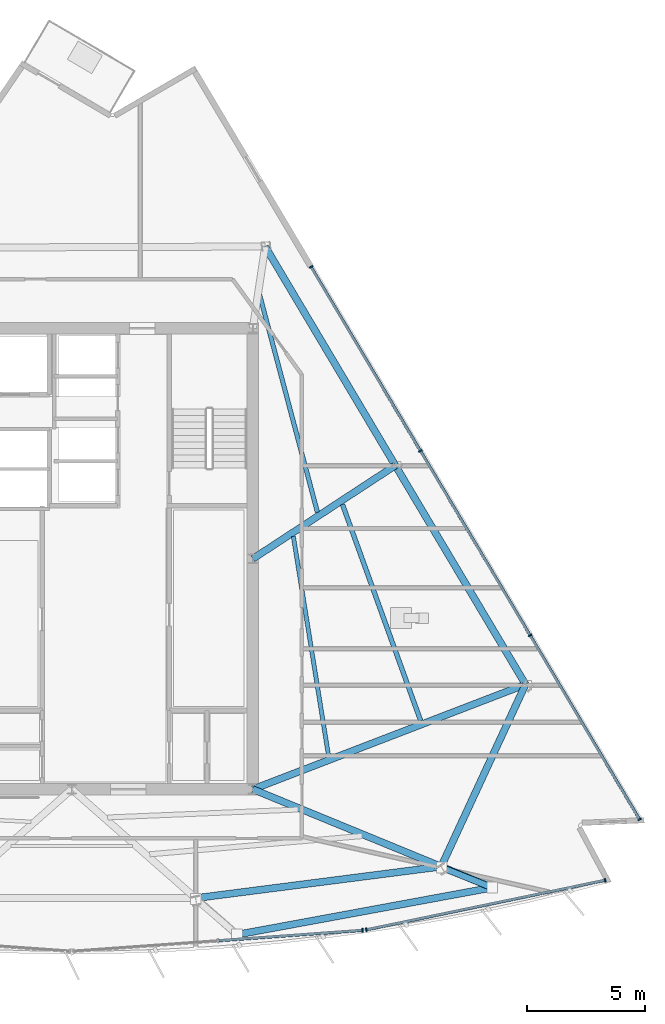
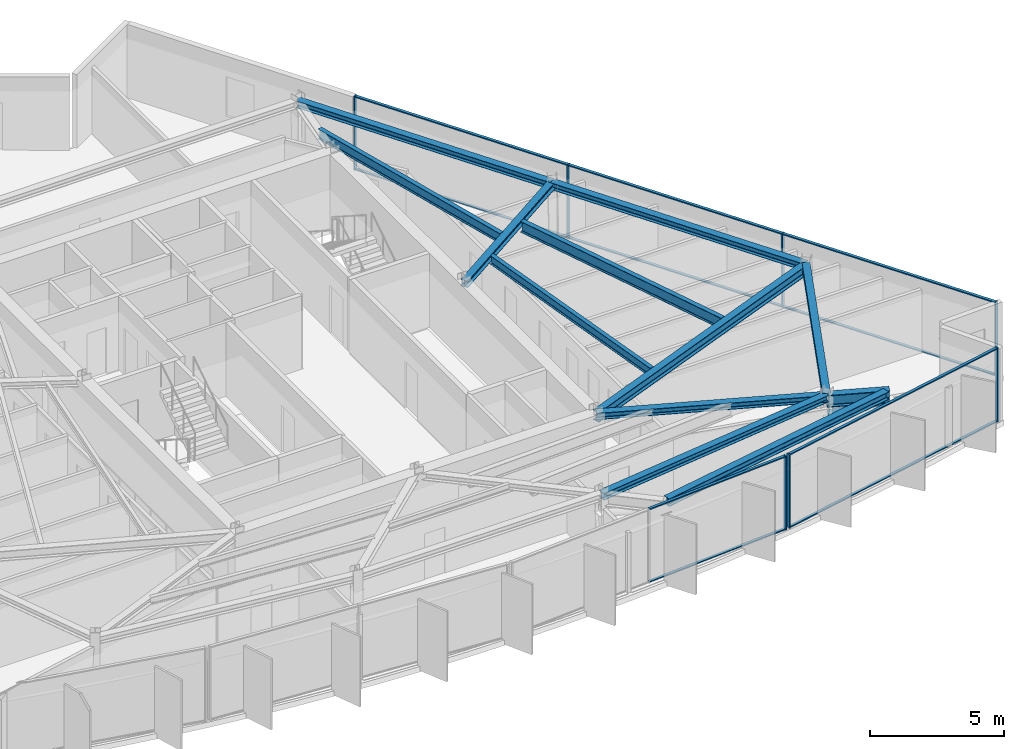
# One storey, part 5 of 13: 18 members, 12 beams, 3 elements without a shape of their own.
"""IFC4 building model written with IfcOpenShell, lengths in metres."""

import ifcopenshell
import ifcopenshell.guid

model = None  # the IFC model being written
_history = None  # IfcOwnerHistory: only IFC2X3 demands one
_inside = {}  # id of a spatial element -> (the spatial element, [elements in it])
_under = {}  # id of a project, library or spatial element -> (it, [spatial elements below it])
_declared = {}  # id of a project -> (the project, [libraries it declares])
_typed = {}  # id of a type object -> (the type object, [elements of that type])
_made_of = {}  # id of a material, layer set ... -> (it, [elements and type objects made of it])


def new_model(schema):
    """Start an empty IFC model of exactly this schema.

    Asked for "IFC4X3", IfcOpenShell would pick the latest addendum, in which some entities
    have other attributes; the version numbers below select the first issue.
    IFC2X3 requires an IfcOwnerHistory on every rooted entity: one is made here for all.
    """
    global model, _history
    if schema == "IFC4X3":
        model = ifcopenshell.file(schema_version=(4, 3, 0, 0))
    else:
        model = ifcopenshell.file(schema=schema)
    _inside.clear()
    _under.clear()
    _declared.clear()
    _typed.clear()
    _made_of.clear()
    _history = None
    if model.schema == "IFC2X3":
        org = make("IfcOrganization", Name="unknown")
        user = make(
            "IfcPersonAndOrganization",
            ThePerson=make("IfcPerson", FamilyName="unknown"),
            TheOrganization=org,
        )
        app = make(
            "IfcApplication",
            ApplicationDeveloper=org,
            Version="unknown",
            ApplicationFullName="unknown",
            ApplicationIdentifier="unknown",
        )
        _history = make(
            "IfcOwnerHistory",
            OwningUser=user,
            OwningApplication=app,
            ChangeAction="ADDED",
            CreationDate=0,
        )
    return model


def make(cls, **values):
    """One entity of the class cls with the attributes given. An attribute that is None is left unset."""
    return model.create_entity(
        cls, **{name: value for name, value in values.items() if value is not None}
    )


def rooted(cls, **values):
    """An entity with a GlobalId (a new one), such as an element, a storey or a relation."""
    return make(cls, GlobalId=ifcopenshell.guid.new(), OwnerHistory=_history, **values)


def si_unit(unit_type, name, prefix=None):
    """IfcSIUnit, for example si_unit("LENGTHUNIT", "METRE", prefix="MILLI")."""
    return make("IfcSIUnit", UnitType=unit_type, Prefix=prefix, Name=name)


def assignment(units):
    """IfcUnitAssignment: the units of a project."""
    return None if units is None else make("IfcUnitAssignment", Units=units)


def point(xyz):
    """IfcCartesianPoint."""
    return None if xyz is None else make("IfcCartesianPoint", Coordinates=xyz)


def direction(xyz):
    """IfcDirection."""
    return None if xyz is None else make("IfcDirection", DirectionRatios=xyz)


def frame(location, z_axis=None, x_axis=None):
    """IfcAxis2Placement3D, a coordinate frame: its origin and axes. An axis left out is left unset."""
    return make(
        "IfcAxis2Placement3D",
        Location=point(location),
        Axis=direction(z_axis),
        RefDirection=direction(x_axis),
    )


def frame_2d(location, x_axis=None):
    """IfcAxis2Placement2D, a coordinate frame in the plane: its origin and x axis."""
    return make(
        "IfcAxis2Placement2D", Location=point(location), RefDirection=direction(x_axis)
    )


def origin():
    """The frame at (0, 0, 0) with its axes left unset."""
    return frame((0.0, 0.0, 0.0))


def origin_2d():
    """The frame at (0, 0) in the plane with its x axis left unset."""
    return frame_2d((0.0, 0.0))


def place(relative_to, where):
    """IfcLocalPlacement: puts the frame where relative to a parent placement (None: the world)."""
    return make(
        "IfcLocalPlacement", PlacementRelTo=relative_to, RelativePlacement=where
    )


def context(
    kind, dimensions, precision=None, world=None, true_north=None, identifier=None
):
    """IfcGeometricRepresentationContext, for example the 3D "Model" context."""
    return make(
        "IfcGeometricRepresentationContext",
        ContextIdentifier=identifier,
        ContextType=kind,
        CoordinateSpaceDimension=dimensions,
        Precision=precision,
        WorldCoordinateSystem=world,
        TrueNorth=true_north,
    )


def subcontext(parent, identifier, kind, view, scale=None):
    """IfcGeometricRepresentationSubContext, for example "Body" below "Model"."""
    return make(
        "IfcGeometricRepresentationSubContext",
        ContextIdentifier=identifier,
        ContextType=kind,
        ParentContext=parent,
        TargetScale=scale,
        TargetView=view,
    )


def project(units=None, contexts=None):
    """IfcProject with its units and contexts."""
    return rooted(
        "IfcProject",
        Name="project",
        RepresentationContexts=contexts,
        UnitsInContext=assignment(units),
    )


def spatial(cls, under=None, at=None, **own):
    """A site, building, storey or space (cls), placed at a placement, below another one or the project."""
    s = rooted(cls, ObjectPlacement=at, **own)
    if under is not None:
        _under.setdefault(under.id(), (under, []))[1].append(s)
    return s


def profile(cls, at=None, kind="AREA", **sizes):
    """A parametric profile (cls). Its sizes go by their IFC names, for example OverallWidth=200.0."""
    return make(cls, ProfileType=kind, Position=at, **sizes)


def rectangle(**sizes):
    """IfcRectangleProfileDef."""
    return profile("IfcRectangleProfileDef", **sizes)


def hollow_circle(**sizes):
    """IfcCircleHollowProfileDef."""
    return profile("IfcCircleHollowProfileDef", **sizes)


def i_section(**sizes):
    """IfcIShapeProfileDef."""
    return profile("IfcIShapeProfileDef", **sizes)


def extrude(swept, where, along, depth):
    """IfcExtrudedAreaSolid: the profile swept, set in the frame where, extruded along a direction by depth."""
    return make(
        "IfcExtrudedAreaSolid",
        SweptArea=swept,
        Position=where,
        ExtrudedDirection=direction(along),
        Depth=depth,
    )


def shape(context_of_items, identifier, shape_type, items):
    """IfcShapeRepresentation: the items that make up one representation, for example the "Body"."""
    return make(
        "IfcShapeRepresentation",
        ContextOfItems=context_of_items,
        RepresentationIdentifier=identifier,
        RepresentationType=shape_type,
        Items=items,
    )


def material(Name=None, Category=None):
    """IfcMaterial."""
    return make("IfcMaterial", Name=Name, Category=Category)


def material_profile(
    of_material, cross_section, Name=None, Category=None, Priority=None
):
    """IfcMaterialProfile: a cross section and its material."""
    return make(
        "IfcMaterialProfile",
        Name=Name,
        Material=of_material,
        Profile=cross_section,
        Priority=Priority,
        Category=Category,
    )


def profile_set(profiles, Name=None, composite=None):
    """IfcMaterialProfileSet."""
    return make(
        "IfcMaterialProfileSet",
        Name=Name,
        MaterialProfiles=profiles,
        CompositeProfile=composite,
    )


def made_of(thing, what):
    """Note that an element or type object is made of a material, layer set ...; save() writes the relation."""
    if what is not None:
        _made_of.setdefault(what.id(), (what, []))[1].append(thing)
    return thing


def type_object(cls, material=None, **own):
    """A type object (cls), such as IfcWallType, which elements share."""
    return made_of(rooted(cls, **own), material)


def element(
    cls,
    number,
    at=None,
    inside=None,
    cuts=None,
    type_object=None,
    material=None,
    context=None,
    identifier="Body",
    shape_type=None,
    held_by="IfcProductDefinitionShape",
    body=None,
    shapes=None,
    **own,
):
    """One element of the class cls, such as IfcWall. Its Tag is "e" and its number.

    at: its placement. inside: the storey or other place that contains it. cuts: it is an
    opening in that element (IfcRelVoidsElement). A single representation is given by context,
    identifier, shape_type and body (its items); several are given by shapes. held_by: the class
    of the entity that holds the representations. save() writes the other relations.
    """
    e = rooted(cls, Tag="e%d" % number, ObjectPlacement=at, **own)
    if body is not None:
        shapes = [shape(context, identifier, shape_type, body)]
    if shapes is not None:
        e.Representation = make(held_by, Representations=shapes)
    if inside is not None:
        _inside.setdefault(inside.id(), (inside, []))[1].append(e)
    if cuts is not None:
        rooted(
            "IfcRelVoidsElement", RelatingBuildingElement=cuts, RelatedOpeningElement=e
        )
    if type_object is not None:
        _typed.setdefault(type_object.id(), (type_object, []))[1].append(e)
    return made_of(e, material)


def aggregate(whole, parts):
    """IfcRelAggregates: a whole, such as a stair, and the parts it consists of."""
    return rooted("IfcRelAggregates", RelatingObject=whole, RelatedObjects=parts)


def save(model, path):
    """Write the relations noted so far, then the file.

    IfcRelAggregates (storeys below a building ...), IfcRelContainedInSpatialStructure (elements
    in a storey), IfcRelDefinesByType, IfcRelAssociatesMaterial and IfcRelDeclares: one each for
    every whole, place, type object, material and project.
    """
    for whole, parts in _under.values():
        aggregate(whole, parts)
    for where, things in _inside.values():
        rooted(
            "IfcRelContainedInSpatialStructure",
            RelatedElements=things,
            RelatingStructure=where,
        )
    for kind, things in _typed.values():
        rooted("IfcRelDefinesByType", RelatedObjects=things, RelatingType=kind)
    for what, things in _made_of.values():
        rooted("IfcRelAssociatesMaterial", RelatedObjects=things, RelatingMaterial=what)
    for by, libraries in _declared.values():
        rooted("IfcRelDeclares", RelatingContext=by, RelatedDefinitions=libraries)
    model.write(path)


model = new_model("IFC4")

# Units and contexts
model_context = context("Model", 3, precision=1e-05, world=origin(), true_north=direction((0.0, 1.0)))
body_context = subcontext(model_context, "Body", "Model", "MODEL_VIEW")
ifc_project = project(units=[si_unit("LENGTHUNIT", "METRE"), si_unit("AREAUNIT", "SQUARE_METRE"), si_unit("VOLUMEUNIT", "CUBIC_METRE"), si_unit("PLANEANGLEUNIT", "RADIAN"), si_unit("MASSUNIT", "GRAM", prefix="KILO")], contexts=[model_context])

# Site, building, storey
site_placement = place(None, origin())
site = spatial("IfcSite", under=ifc_project, at=site_placement, CompositionType="ELEMENT")
building_placement = place(site_placement, origin())
building = spatial("IfcBuilding", under=site, at=building_placement, Name="Savorim Split Tower", CompositionType="ELEMENT")
storey_placement = place(building_placement, frame((0.0, 0.0, 258.0)))
storey = spatial("IfcBuildingStorey", under=building, at=storey_placement, Name="L68", CompositionType="ELEMENT", Elevation=258.0)

# Beams
ifc_material_1 = material(Name="Steel S355", Category="steel")
ifc_material_profile_1 = material_profile(ifc_material_1, i_section(OverallWidth=0.179931640625, OverallDepth=0.39990234375, WebThickness=0.008544921875, FlangeThickness=0.013427734375, FilletRadius=0.02099609375, at=origin_2d()), Name="IPE 400")
ifc_profile_set_1 = profile_set([ifc_material_profile_1], Name="Steel S355")
beam_type_1 = type_object("IfcBeamType", Name="BM-JST-IPE400", PredefinedType="JOIST", material=ifc_profile_set_1)
beam_1_placement = place(storey_placement, frame((10.92041015625, -7.993408203125, 3.14990234375), z_axis=(-0.158368732511, 0.987380040594, 0.0), x_axis=(-0.987380040594, -0.158368732511, 0.0)))
element("IfcBeam", 1, at=beam_1_placement, inside=storey, type_object=beam_type_1, Name="L68 Secondary Floor Joist JS-08", PredefinedType="JOIST", context=body_context, shape_type="SweptSolid", body=[
    extrude(i_section(OverallWidth=0.179931640625, OverallDepth=0.39990234375, WebThickness=0.008544921875, FlangeThickness=0.013427734375, FilletRadius=0.02099609375, at=origin_2d()), origin(), (0.0, 0.0, 1.0), 9.46533203125),
])
ifc_material_profile_2 = material_profile(ifc_material_1, i_section(OverallWidth=0.18994140625, OverallDepth=0.449951171875, WebThickness=0.009521484375, FlangeThickness=0.0146484375, FilletRadius=0.02099609375, at=origin_2d()), Name="IPE 450")
ifc_profile_set_2 = profile_set([ifc_material_profile_2], Name="Steel S355")
beam_type_2 = type_object("IfcBeamType", Name="BM-JST-IPE450", PredefinedType="JOIST", material=ifc_profile_set_2)
beam_2_placement = place(storey_placement, frame((10.4453125, 2.379150390625, 3.125), z_axis=(-0.256998411708, 0.966411825455, 0.0), x_axis=(-0.966411825455, -0.256998411708, 0.0)))
element("IfcBeam", 2, at=beam_2_placement, inside=storey, type_object=beam_type_2, Name="L68 Secondary Floor Joist JS-07", PredefinedType="JOIST", context=body_context, shape_type="SweptSolid", body=[
    extrude(i_section(OverallWidth=0.18994140625, OverallDepth=0.449951171875, WebThickness=0.009521484375, FlangeThickness=0.0146484375, FilletRadius=0.02099609375, at=origin_2d()), origin(), (0.0, 0.0, 1.0), 9.586181640625),
])
ifc_material_profile_3 = material_profile(ifc_material_1, i_section(OverallWidth=0.199951171875, OverallDepth=0.5, WebThickness=0.01025390625, FlangeThickness=0.01611328125, FilletRadius=0.02099609375, at=origin_2d()), Name="IPE 500")
ifc_profile_set_3 = profile_set([ifc_material_profile_3], Name="Steel S355")
beam_type_3 = type_object("IfcBeamType", Name="BM-JST-IPE500", PredefinedType="JOIST", material=ifc_profile_set_3)
beam_3_placement = place(storey_placement, frame((14.83251953125, -6.484619140625, 3.10009765625), z_axis=(-0.339887487552, 0.940466105612, 0.0), x_axis=(-0.940466105612, -0.339887487552, 0.0)))
element("IfcBeam", 3, at=beam_3_placement, inside=storey, type_object=beam_type_3, Name="L68 Secondary Floor Joist JS-06", PredefinedType="JOIST", context=body_context, shape_type="SweptSolid", body=[
    extrude(i_section(OverallWidth=0.199951171875, OverallDepth=0.5, WebThickness=0.01025390625, FlangeThickness=0.01611328125, FilletRadius=0.02099609375, at=origin_2d()), origin(), (0.0, 0.0, 1.0), 9.775390625),
])
ifc_material_profile_4 = material_profile(ifc_material_1, i_section(OverallWidth=0.300048828125, OverallDepth=0.300048828125, WebThickness=0.010986328125, FlangeThickness=0.01904296875, FilletRadius=0.027099609375, at=origin_2d()), Name="HEB 300")
ifc_profile_set_4 = profile_set([ifc_material_profile_4], Name="Steel S355")
beam_type_4 = type_object("IfcBeamType", Name="BM-PRI-HEB300", PredefinedType="BEAM", material=ifc_profile_set_4)
beam_4_placement = place(storey_placement, frame((15.70556640625, -12.687744140625, 3.199951171875), z_axis=(-0.925027076553, 0.37990118142, 0.0), x_axis=(-0.37990118142, -0.925027076553, 0.0)))
element("IfcBeam", 4, at=beam_4_placement, inside=storey, type_object=beam_type_4, Name="L68 Primary Floor Girder RG-04", PredefinedType="BEAM", context=body_context, shape_type="SweptSolid", body=[
    extrude(i_section(OverallWidth=0.300048828125, OverallDepth=0.300048828125, WebThickness=0.010986328125, FlangeThickness=0.01904296875, FilletRadius=0.027099609375, at=origin_2d()), origin(), (0.0, 0.0, 1.0), 8.654541015625),
])
beam_5_placement = place(storey_placement, frame((13.75732421875, 4.366455078125, 3.199951171875), z_axis=(-0.836592221067, -0.54782611808, 0.0), x_axis=(0.54782611808, -0.836592221067, 0.0)))
element("IfcBeam", 5, at=beam_5_placement, inside=storey, type_object=beam_type_4, Name="L68 Primary Floor Girder RG-06", PredefinedType="BEAM", context=body_context, shape_type="SweptSolid", body=[
    extrude(i_section(OverallWidth=0.300048828125, OverallDepth=0.300048828125, WebThickness=0.010986328125, FlangeThickness=0.01904296875, FilletRadius=0.027099609375, at=origin_2d()), origin(), (0.0, 0.0, 1.0), 7.240478515625),
])
ifc_material_profile_5 = material_profile(ifc_material_1, i_section(OverallWidth=0.300048828125, OverallDepth=0.449951171875, WebThickness=0.013916015625, FlangeThickness=0.02587890625, FilletRadius=0.027099609375, at=origin_2d()), Name="HEB 450")
ifc_profile_set_5 = profile_set([ifc_material_profile_5], Name="Steel S355")
beam_type_5 = type_object("IfcBeamType", Name="BM-PRI-HEB450", PredefinedType="BEAM", material=ifc_profile_set_5)
beam_6_placement = place(storey_placement, frame((19.29150390625, -4.940673828125, 3.125), z_axis=(-0.933320272, -0.359044941302, 0.0), x_axis=(0.359044941302, -0.933320272, 0.0)))
element("IfcBeam", 6, at=beam_6_placement, inside=storey, type_object=beam_type_5, Name="L68 Primary Floor Girder RG-05", PredefinedType="BEAM", context=body_context, shape_type="SweptSolid", body=[
    extrude(i_section(OverallWidth=0.300048828125, OverallDepth=0.449951171875, WebThickness=0.013916015625, FlangeThickness=0.02587890625, FilletRadius=0.027099609375, at=origin_2d()), origin(), (0.0, 0.0, 1.0), 12.419677734375),
])
ifc_material_profile_6 = material_profile(ifc_material_1, i_section(OverallWidth=0.300048828125, OverallDepth=0.550048828125, WebThickness=0.014892578125, FlangeThickness=0.029052734375, FilletRadius=0.027099609375, at=origin_2d()), Name="HEB 550")
ifc_profile_set_6 = profile_set([ifc_material_profile_6], Name="Steel S355")
beam_type_6 = type_object("IfcBeamType", Name="BM-PRI-HEB550", PredefinedType="BEAM", material=ifc_profile_set_6)
beam_7_placement = place(storey_placement, frame((15.70556640625, -12.687744140625, 3.074951171875), z_axis=(0.925019818378, -0.379918853977, 0.0), x_axis=(0.379918853977, 0.925019818378, 0.0)))
element("IfcBeam", 7, at=beam_7_placement, inside=storey, type_object=beam_type_6, Name="L68 Cantilevered Lounge Rib 2", PredefinedType="BEAM", context=body_context, shape_type="SweptSolid", body=[
    extrude(i_section(OverallWidth=0.300048828125, OverallDepth=0.550048828125, WebThickness=0.014892578125, FlangeThickness=0.029052734375, FilletRadius=0.027099609375, at=origin_2d()), origin(), (0.0, 0.0, 1.0), 2.35009765625),
])
ifc_material_profile_7 = material_profile(ifc_material_1, i_section(OverallWidth=0.300048828125, OverallDepth=0.31005859375, WebThickness=0.009033203125, FlangeThickness=0.015380859375, FilletRadius=0.027099609375, at=origin_2d()), Name="HEA 320")
ifc_profile_set_7 = profile_set([ifc_material_profile_7], Name="Steel S355")
beam_type_7 = type_object("IfcBeamType", Name="BM-SPN-HEA320", PredefinedType="SPANDREL", material=ifc_profile_set_7)
beam_8_placement = place(storey_placement, frame((5.263671875, -14.0283203125, 3.195068359375), z_axis=(0.991859223744, 0.127339233051, 0.0), x_axis=(-0.127339233051, 0.991859223744, 0.0)))
element("IfcBeam", 8, at=beam_8_placement, inside=storey, type_object=beam_type_7, Name="L68 Perimeter Spandrel Beam 3", PredefinedType="SPANDREL", context=body_context, shape_type="SweptSolid", body=[
    extrude(i_section(OverallWidth=0.300048828125, OverallDepth=0.31005859375, WebThickness=0.009033203125, FlangeThickness=0.015380859375, FilletRadius=0.027099609375, at=origin_2d()), origin(), (0.0, 0.0, 1.0), 10.527587890625),
])
beam_9_placement = place(storey_placement, frame((15.70556640625, -12.687744140625, 3.195068359375), z_axis=(0.420059019879, 0.907496787773, 0.0), x_axis=(-0.907496787773, 0.420059019879, 0.0)))
element("IfcBeam", 9, at=beam_9_placement, inside=storey, type_object=beam_type_7, Name="L68 Perimeter Spandrel Beam 4", PredefinedType="SPANDREL", context=body_context, shape_type="SweptSolid", body=[
    extrude(i_section(OverallWidth=0.300048828125, OverallDepth=0.31005859375, WebThickness=0.009033203125, FlangeThickness=0.015380859375, FilletRadius=0.027099609375, at=origin_2d()), origin(), (0.0, 0.0, 1.0), 8.536865234375),
])
for number, where, z_axis, x_axis, name in (
    (10, (19.29150390625, -4.940673828125, 3.195068359375), (-0.511089799365, 0.859527321837, 0.0), (-0.859527321837, -0.511089799365, 0.0), "L68 Perimeter Spandrel Beam 5"),
    (11, (13.75732421875, 4.366455078125, 3.195068359375), (-0.511073141824, 0.85953722648, 0.0), (-0.85953722648, -0.511073141824, 0.0), "L68 Perimeter Spandrel Beam 6"),
):
    element("IfcBeam", number, at=place(storey_placement, frame(where, z_axis=z_axis, x_axis=x_axis)), inside=storey, type_object=beam_type_7, Name=name, PredefinedType="SPANDREL", context=body_context, shape_type="SweptSolid", body=[
        extrude(i_section(OverallWidth=0.300048828125, OverallDepth=0.31005859375, WebThickness=0.009033203125, FlangeThickness=0.015380859375, FilletRadius=0.027099609375, at=origin_2d()), origin(), (0.0, 0.0, 1.0), 10.828125),
    ])
ifc_material_profile_8 = material_profile(ifc_material_1, i_section(OverallWidth=0.300048828125, OverallDepth=0.35009765625, WebThickness=0.010009765625, FlangeThickness=0.017578125, FilletRadius=0.027099609375, at=origin_2d()), Name="HEA 360")
ifc_profile_set_8 = profile_set([ifc_material_profile_8], Name="Steel S355")
beam_type_8 = type_object("IfcBeamType", Name="BM-SPN-HEA360", PredefinedType="SPANDREL", material=ifc_profile_set_8)
beam_10_placement = place(storey_placement, frame((7.185791015625, -15.55126953125, 3.175048828125), z_axis=(0.98344015123, 0.181233189423, 0.0), x_axis=(-0.181233189423, 0.98344015123, 0.0)))
element("IfcBeam", 12, at=beam_10_placement, inside=storey, type_object=beam_type_8, Name="L68 Cantilevered Lounge Front Edge Beam", PredefinedType="SPANDREL", context=body_context, shape_type="SweptSolid", body=[
    extrude(i_section(OverallWidth=0.300048828125, OverallDepth=0.35009765625, WebThickness=0.010009765625, FlangeThickness=0.017578125, FilletRadius=0.027099609375, at=origin_2d()), origin(), (0.0, 0.0, 1.0), 10.713623046875),
])

# Curtain wall, member
ifc_material_2 = material(Name="Dark Ceramic-Fritted Insulated Glass", Category="glass")
curtain_wall_type = type_object("IfcCurtainWallType", Name="CW-TWR-FRIT-B", PredefinedType="NOTDEFINED", material=ifc_material_2)
curtain_wall_1_placement = place(storey_placement, origin())
curtain_wall_1 = element("IfcCurtainWall", 13, at=curtain_wall_1_placement, inside=storey, type_object=curtain_wall_type, Name="L68 Curtain Wall CW-L68-SF3", PredefinedType="NOTDEFINED")
ifc_material_3 = material(Name="Charcoal Anodised Aluminium", Category="aluminium")
ifc_material_profile_9 = material_profile(ifc_material_3, rectangle(XDim=0.159912109375, YDim=0.06005859375, at=origin_2d()), Name="ALU-M 160x60")
ifc_profile_set_9 = profile_set([ifc_material_profile_9], Name="Charcoal Anodised Aluminium")
member_type_1 = type_object("IfcMemberType", Name="CWM-160x60", PredefinedType="MULLION", material=ifc_profile_set_9)
member_1_placement = place(storey_placement, frame((12.362060546875, -15.39599609375, 0.0), z_axis=(0.0, 0.0, 1.0), x_axis=(-0.071562386711, 0.997436125678, 0.0)))
member_1 = element("IfcMember", 14, at=member_1_placement, type_object=member_type_1, Name="CW-03 mullion 3", PredefinedType="MULLION", context=body_context, shape_type="SweptSolid", body=[
    extrude(rectangle(XDim=0.159912109375, YDim=0.06005859375, at=origin_2d()), origin(), (0.0, 0.0, 1.0), 3.35009765625),
])

# Curtain wall, members
curtain_wall_2_placement = place(storey_placement, origin())
curtain_wall_2 = element("IfcCurtainWall", 15, at=curtain_wall_2_placement, inside=storey, type_object=curtain_wall_type, Name="L68 Curtain Wall CW-L68-SF4", PredefinedType="NOTDEFINED")
member_2_placement = place(storey_placement, frame((12.524169921875, -15.373291015625, 0.0), z_axis=(0.0, 0.0, 1.0), x_axis=(-0.20320761208, 0.979135673129, 0.0)))
member_2 = element("IfcMember", 16, at=member_2_placement, type_object=member_type_1, Name="CW-03 mullion 1", PredefinedType="MULLION", context=body_context, shape_type="SweptSolid", body=[
    extrude(rectangle(XDim=0.159912109375, YDim=0.06005859375, at=origin_2d()), origin(), (0.0, 0.0, 1.0), 3.35009765625),
])
member_3_placement = place(storey_placement, frame((22.677978515625, -13.26611328125, 0.0), z_axis=(0.0, 0.0, 1.0), x_axis=(-0.20320761208, 0.979135673129, 0.0)))
member_3 = element("IfcMember", 17, at=member_3_placement, type_object=member_type_1, Name="CW-03 mullion 2", PredefinedType="MULLION", context=body_context, shape_type="SweptSolid", body=[
    extrude(rectangle(XDim=0.159912109375, YDim=0.06005859375, at=origin_2d()), origin(), (0.0, 0.0, 1.0), 3.35009765625),
])

curtain_wall_3_placement = place(storey_placement, origin())
curtain_wall_3 = element("IfcCurtainWall", 18, at=curtain_wall_3_placement, inside=storey, type_object=curtain_wall_type, Name="L68 Curtain Wall CW-L68-EAST", PredefinedType="NOTDEFINED")
member_4_placement = place(storey_placement, frame((24.138427734375, -10.678955078125, 0.0), z_axis=(0.0, 0.0, 1.0), x_axis=(-0.859527043432, -0.511090267573, 0.0)))
member_4 = element("IfcMember", 19, at=member_4_placement, type_object=member_type_1, Name="CW-03 mullion 1", PredefinedType="MULLION", context=body_context, shape_type="SweptSolid", body=[
    extrude(rectangle(XDim=0.159912109375, YDim=0.06005859375, at=origin_2d()), origin(), (0.0, 0.0, 1.0), 3.35009765625),
])
member_5_placement = place(storey_placement, frame((19.48828125, -2.85888671875, 0.0), z_axis=(0.0, 0.0, 1.0), x_axis=(-0.859527043432, -0.511090267573, 0.0)))
member_5 = element("IfcMember", 20, at=member_5_placement, type_object=member_type_1, Name="CW-03 mullion 2", PredefinedType="MULLION", context=body_context, shape_type="SweptSolid", body=[
    extrude(rectangle(XDim=0.159912109375, YDim=0.06005859375, at=origin_2d()), origin(), (0.0, 0.0, 1.0), 3.35009765625),
])
member_6_placement = place(storey_placement, frame((14.822998046875, 4.987060546875, 0.0), z_axis=(0.0, 0.0, 1.0), x_axis=(-0.859527043432, -0.511090267573, 0.0)))
member_6 = element("IfcMember", 21, at=member_6_placement, type_object=member_type_1, Name="CW-03 mullion 3", PredefinedType="MULLION", context=body_context, shape_type="SweptSolid", body=[
    extrude(rectangle(XDim=0.159912109375, YDim=0.06005859375, at=origin_2d()), origin(), (0.0, 0.0, 1.0), 3.35009765625),
])
member_7_placement = place(storey_placement, frame((10.173095703125, 12.80712890625, 0.0), z_axis=(0.0, 0.0, 1.0), x_axis=(-0.859527043432, -0.511090267573, 0.0)))
member_7 = element("IfcMember", 22, at=member_7_placement, type_object=member_type_1, Name="CW-03 mullion 4", PredefinedType="MULLION", context=body_context, shape_type="SweptSolid", body=[
    extrude(rectangle(XDim=0.159912109375, YDim=0.06005859375, at=origin_2d()), origin(), (0.0, 0.0, 1.0), 3.35009765625),
])

# Member
ifc_material_profile_10 = material_profile(ifc_material_3, rectangle(XDim=0.1201171875, YDim=0.050048828125, at=origin_2d()), Name="ALU-T 120x50")
ifc_profile_set_10 = profile_set([ifc_material_profile_10], Name="Charcoal Anodised Aluminium")
member_type_2 = type_object("IfcMemberType", Name="CWT-120x50", PredefinedType="USERDEFINED", material=ifc_profile_set_10)
member_8_placement = place(storey_placement, frame((6.25146484375, -15.83447265625, 0.02490234375), z_axis=(0.997436085583, 0.071562945555, 0.0), x_axis=(-0.071562945555, 0.997436085583, 0.0)))
member_8 = element("IfcMember", 23, at=member_8_placement, type_object=member_type_2, Name="CW-03 transom 2.1", ObjectType="TRANSOM", PredefinedType="USERDEFINED", context=body_context, shape_type="SweptSolid", body=[
    extrude(rectangle(XDim=0.1201171875, YDim=0.050048828125, at=origin_2d()), origin(), (0.0, 0.0, 1.0), 6.096435546875),
])

member_9_placement = place(storey_placement, frame((6.25146484375, -15.83447265625, 3.324951171875), z_axis=(0.997436085583, 0.071562945555, 0.0), x_axis=(-0.071562945555, 0.997436085583, 0.0)))
member_9 = element("IfcMember", 24, at=member_9_placement, type_object=member_type_2, Name="CW-03 transom 2.2", ObjectType="TRANSOM", PredefinedType="USERDEFINED", context=body_context, shape_type="SweptSolid", body=[
    extrude(rectangle(XDim=0.1201171875, YDim=0.050048828125, at=origin_2d()), origin(), (0.0, 0.0, 1.0), 6.096435546875),
])

aggregate(curtain_wall_1, [member_1, member_8, member_9])

member_10_placement = place(storey_placement, frame((12.553466796875, -15.3671875, 0.02490234375), z_axis=(0.97913890437, 0.203192042041, 0.0), x_axis=(-0.203192042041, 0.97913890437, 0.0)))
member_10 = element("IfcMember", 25, at=member_10_placement, type_object=member_type_2, Name="CW-03 transom 1.1", ObjectType="TRANSOM", PredefinedType="USERDEFINED", context=body_context, shape_type="SweptSolid", body=[
    extrude(rectangle(XDim=0.1201171875, YDim=0.050048828125, at=origin_2d()), origin(), (0.0, 0.0, 1.0), 10.310302734375),
])

member_11_placement = place(storey_placement, frame((12.553466796875, -15.3671875, 3.324951171875), z_axis=(0.97913890437, 0.203192042041, 0.0), x_axis=(-0.203192042041, 0.97913890437, 0.0)))
member_11 = element("IfcMember", 26, at=member_11_placement, type_object=member_type_2, Name="CW-03 transom 1.2", ObjectType="TRANSOM", PredefinedType="USERDEFINED", context=body_context, shape_type="SweptSolid", body=[
    extrude(rectangle(XDim=0.1201171875, YDim=0.050048828125, at=origin_2d()), origin(), (0.0, 0.0, 1.0), 10.310302734375),
])

aggregate(curtain_wall_2, [member_2, member_3, member_10, member_11])

member_12_placement = place(storey_placement, frame((24.123046875, -10.6533203125, 0.02490234375), z_axis=(-0.511095349308, 0.859524021721, 0.0), x_axis=(-0.859524021721, -0.511095349308, 0.0)))
member_12 = element("IfcMember", 27, at=member_12_placement, type_object=member_type_2, Name="CW-03 transom 1.1", ObjectType="TRANSOM", PredefinedType="USERDEFINED", context=body_context, shape_type="SweptSolid", body=[
    extrude(rectangle(XDim=0.1201171875, YDim=0.050048828125, at=origin_2d()), origin(), (0.0, 0.0, 1.0), 9.0380859375),
])

member_13_placement = place(storey_placement, frame((24.123046875, -10.6533203125, 3.324951171875), z_axis=(-0.511095349308, 0.859524021721, 0.0), x_axis=(-0.859524021721, -0.511095349308, 0.0)))
member_13 = element("IfcMember", 28, at=member_13_placement, type_object=member_type_2, Name="CW-03 transom 1.2", ObjectType="TRANSOM", PredefinedType="USERDEFINED", context=body_context, shape_type="SweptSolid", body=[
    extrude(rectangle(XDim=0.1201171875, YDim=0.050048828125, at=origin_2d()), origin(), (0.0, 0.0, 1.0), 9.0380859375),
])

member_14_placement = place(storey_placement, frame((19.47314453125, -2.8330078125, 0.02490234375), z_axis=(-0.511106572679, 0.859517347913, 0.0), x_axis=(-0.859517347913, -0.511106572679, 0.0)))
member_14 = element("IfcMember", 29, at=member_14_placement, type_object=member_type_2, Name="CW-03 transom 2.1", ObjectType="TRANSOM", PredefinedType="USERDEFINED", context=body_context, shape_type="SweptSolid", body=[
    extrude(rectangle(XDim=0.1201171875, YDim=0.050048828125, at=origin_2d()), origin(), (0.0, 0.0, 1.0), 9.068115234375),
])

member_15_placement = place(storey_placement, frame((19.47314453125, -2.8330078125, 3.324951171875), z_axis=(-0.511106572679, 0.859517347913, 0.0), x_axis=(-0.859517347913, -0.511106572679, 0.0)))
member_15 = element("IfcMember", 30, at=member_15_placement, type_object=member_type_2, Name="CW-03 transom 2.2", ObjectType="TRANSOM", PredefinedType="USERDEFINED", context=body_context, shape_type="SweptSolid", body=[
    extrude(rectangle(XDim=0.1201171875, YDim=0.050048828125, at=origin_2d()), origin(), (0.0, 0.0, 1.0), 9.068115234375),
])

member_16_placement = place(storey_placement, frame((14.8076171875, 5.012939453125, 0.02490234375), z_axis=(-0.511075392877, 0.859535888021, 0.0), x_axis=(-0.859535888021, -0.511075392877, 0.0)))
member_16 = element("IfcMember", 31, at=member_16_placement, type_object=member_type_2, Name="CW-03 transom 3.1", ObjectType="TRANSOM", PredefinedType="USERDEFINED", context=body_context, shape_type="SweptSolid", body=[
    extrude(rectangle(XDim=0.1201171875, YDim=0.050048828125, at=origin_2d()), origin(), (0.0, 0.0, 1.0), 9.0380859375),
])

member_17_placement = place(storey_placement, frame((14.8076171875, 5.012939453125, 3.324951171875), z_axis=(-0.511075392877, 0.859535888021, 0.0), x_axis=(-0.859535888021, -0.511075392877, 0.0)))
member_17 = element("IfcMember", 32, at=member_17_placement, type_object=member_type_2, Name="CW-03 transom 3.2", ObjectType="TRANSOM", PredefinedType="USERDEFINED", context=body_context, shape_type="SweptSolid", body=[
    extrude(rectangle(XDim=0.1201171875, YDim=0.050048828125, at=origin_2d()), origin(), (0.0, 0.0, 1.0), 9.0380859375),
])

aggregate(curtain_wall_3, [member_4, member_5, member_6, member_7, member_12, member_13, member_14, member_15, member_16, member_17])

ifc_material_profile_11 = material_profile(ifc_material_1, hollow_circle(Radius=0.136474609375, WallThickness=0.01611328125, at=origin_2d()), Name="CHS 273x16")
ifc_profile_set_11 = profile_set([ifc_material_profile_11], Name="Steel S355")
member_type_3 = type_object("IfcMemberType", Name="MBR-CRN-CHS273", PredefinedType="BRACE", material=ifc_profile_set_11)
member_18_placement = place(storey_placement, frame((15.729248046875, -12.726318359375, 2.449951171875), z_axis=(0.917672162367, -0.36458895153, 0.157964232786), x_axis=(0.369224627843, 0.929340182169, 0.0)))
element("IfcMember", 33, at=member_18_placement, inside=storey, type_object=member_type_3, Name="L68 Cantilevered Bay Support Strut 2", PredefinedType="BRACE", context=body_context, shape_type="SweptSolid", body=[
    extrude(hollow_circle(Radius=0.136474609375, WallThickness=0.01611328125, at=origin_2d()), origin(), (0.0, 0.0, 1.0), 2.343017578125),
])

save(model, "model.ifc")
